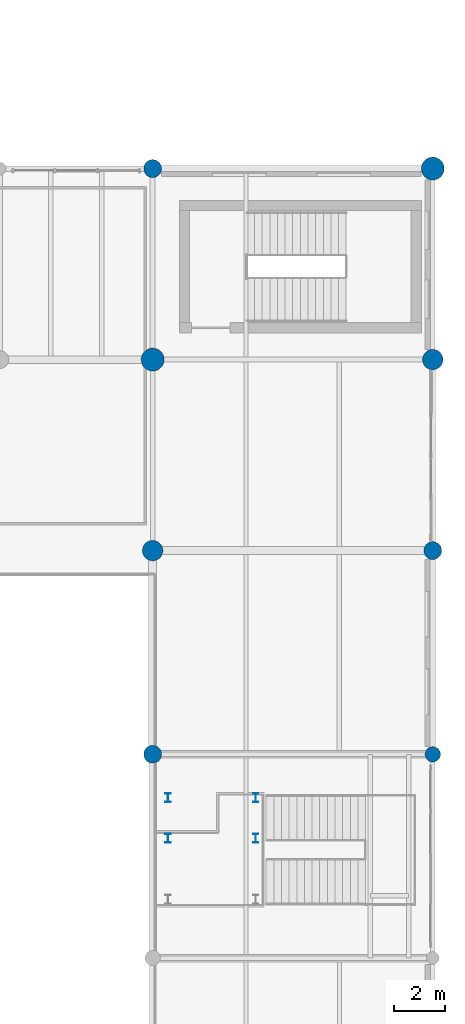
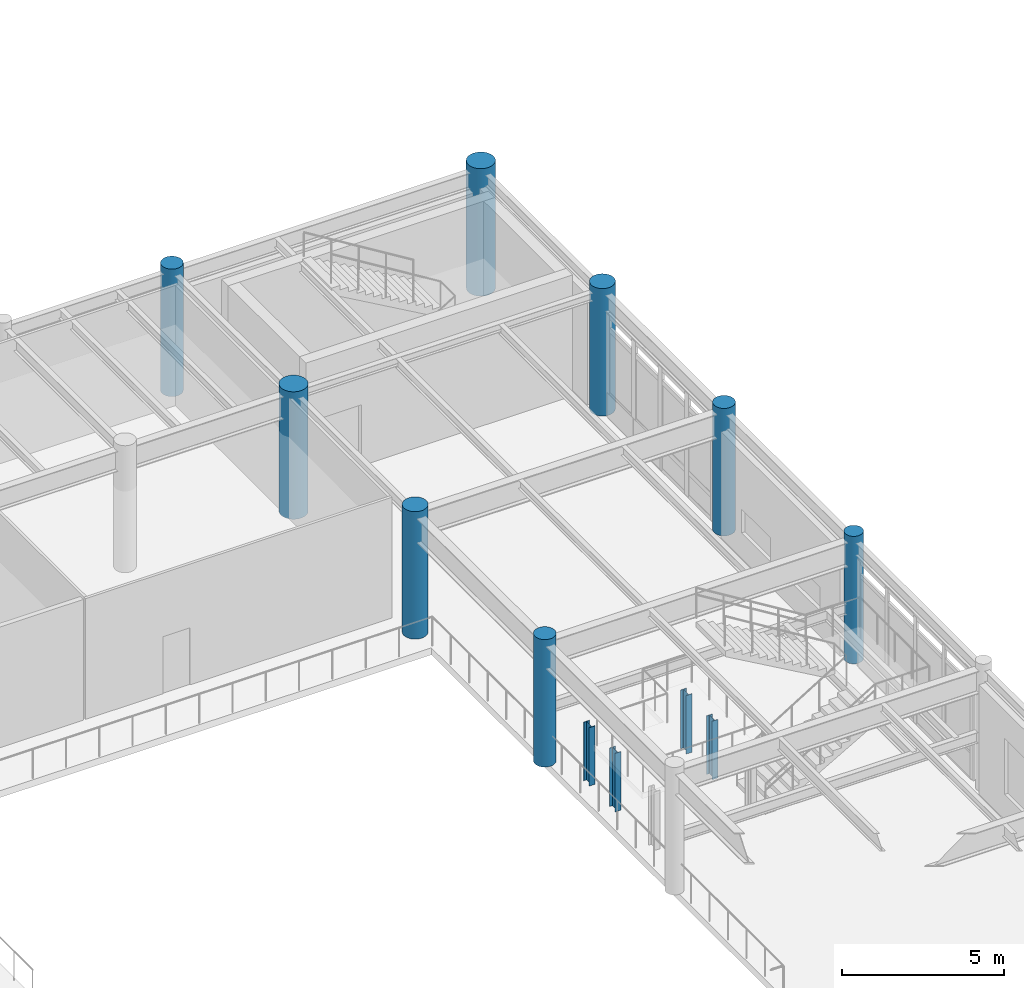
# One storey, part 15 of 200: 12 columns.
"""IFC4 building model written with IfcOpenShell, lengths in metres."""

from ifc_helpers import new_model, si_unit, direction, frame, origin, origin_2d, place, context, subcontext, project, spatial, circle, i_section, extrude, material, material_profile, profile_set, type_object, element, save


model = new_model("IFC4")

# Units and contexts
model_context = context("Model", 3, precision=1e-05, world=origin(), true_north=direction((0.0, 1.0)))
body_context = subcontext(model_context, "Body", "Model", "MODEL_VIEW")
ifc_project = project(units=[si_unit("LENGTHUNIT", "METRE"), si_unit("AREAUNIT", "SQUARE_METRE"), si_unit("VOLUMEUNIT", "CUBIC_METRE"), si_unit("PLANEANGLEUNIT", "RADIAN"), si_unit("MASSUNIT", "GRAM", prefix="KILO"), si_unit("THERMODYNAMICTEMPERATUREUNIT", "KELVIN"), si_unit("POWERUNIT", "WATT")], contexts=[model_context])

# Site, building, storey
site_placement = place(None, origin())
site = spatial("IfcSite", under=ifc_project, at=site_placement, CompositionType="ELEMENT")
building_placement = place(site_placement, origin())
building = spatial("IfcBuilding", under=site, at=building_placement, Name="Tepalcoro Natatorium and Aquatics Centre", CompositionType="ELEMENT")
storey_placement = place(building_placement, frame((0.0, 0.0, 5.39990234375)))
storey = spatial("IfcBuildingStorey", under=building, at=storey_placement, Name="L01", CompositionType="ELEMENT", Elevation=5.39990234375)

# Columns
ifc_material_1 = material(Name="Steel ASTM A992 Grade 50 (Fy 345 MPa)", Category="steel")
ifc_material_profile_1 = material_profile(ifc_material_1, i_section(OverallWidth=0.205078125, OverallDepth=0.35302734375, WebThickness=0.009033203125, FlangeThickness=0.01708984375, FilletRadius=0.013916015625, at=origin_2d()), Name="W14X53")
ifc_profile_set_1 = profile_set([ifc_material_profile_1], Name="Steel ASTM A992 Grade 50 (Fy 345 MPa)")
column_type_1 = type_object("IfcColumnType", Name="COL_CHS324x16", PredefinedType="COLUMN", material=ifc_profile_set_1)
for number, where, z_axis, x_axis, name in (
    (1, (165.60009765625, 32.699951171875, 0.0), (0.0, 0.0, 1.0), (1.0, 0.0, 0.0), "Diving Tower 7.5m Platform Column"),
    (2, (165.60009765625, 34.300048828125, 0.0), (0.0, 0.0, 1.0), (1.0, 0.0, 0.0), "Diving Tower 7.5m Platform Column"),
    (3, (169.050048828125, 32.699951171875, 0.0), (0.0, 0.0, 1.0), (1.0, 0.0, 0.0), "Diving Tower 7.5m Platform Column"),
    (4, (169.050048828125, 34.300048828125, 0.0), (0.0, 0.0, 1.0), (1.0, 0.0, 0.0), "Diving Tower 7.5m Platform Column"),
):
    element("IfcColumn", number, at=place(storey_placement, frame(where, z_axis=z_axis, x_axis=x_axis)), inside=storey, type_object=column_type_1, Name=name, PredefinedType="COLUMN", context=body_context, shape_type="SweptSolid", body=[
        extrude(i_section(OverallWidth=0.205078125, OverallDepth=0.35302734375, WebThickness=0.009033203125, FlangeThickness=0.01708984375, FilletRadius=0.013916015625, at=origin_2d()), origin(), (0.0, 0.0, 1.0), 2.2001953125),
    ])
ifc_material_2 = material(Name="Concrete C40/50 (fc 40 MPa)", Category="concrete")
ifc_material_profile_2 = material_profile(ifc_material_2, circle(Radius=0.300048828125, at=origin_2d()), Name="RCD600")
ifc_profile_set_2 = profile_set([ifc_material_profile_2], Name="Concrete C40/50 (fc 40 MPa)")
column_type_2 = type_object("IfcColumnType", Name="COL_RC_D600", PredefinedType="COLUMN", material=ifc_profile_set_2)
column_placement = place(storey_placement, frame((176.0, 36.0, 0.0), z_axis=(0.0, 0.0, 1.0), x_axis=(1.0, 0.0, 0.0)))
element("IfcColumn", 5, at=column_placement, inside=storey, type_object=column_type_2, Name="V2 L01 Grid Column (176.0, 36.0)", PredefinedType="COLUMN", context=body_context, shape_type="SweptSolid", body=[
    extrude(circle(Radius=0.300048828125, at=origin_2d()), origin(), (0.0, 0.0, 1.0), 4.800048828125),
])
ifc_material_profile_3 = material_profile(ifc_material_2, circle(Radius=0.35009765625, at=origin_2d()), Name="RCD700")
ifc_profile_set_3 = profile_set([ifc_material_profile_3], Name="Concrete C40/50 (fc 40 MPa)")
column_type_3 = type_object("IfcColumnType", Name="COL_RC_D700", PredefinedType="COLUMN", material=ifc_profile_set_3)
for number, where, z_axis, x_axis, name in (
    (6, (165.0, 36.0, 0.0), (0.0, 0.0, 1.0), (1.0, 0.0, 0.0), "V2 L01 Grid Column (165.0, 36.0)"),
    (7, (165.0, 59.0, 0.0), (0.0, 0.0, 1.0), (1.0, 0.0, 0.0), "V2 L01 Grid Column (165.0, 59.0)"),
    (8, (176.0, 44.0, 0.0), (0.0, 0.0, 1.0), (1.0, 0.0, 0.0), "V2 L01 Grid Column (176.0, 44.0)"),
):
    element("IfcColumn", number, at=place(storey_placement, frame(where, z_axis=z_axis, x_axis=x_axis)), inside=storey, type_object=column_type_3, Name=name, PredefinedType="COLUMN", context=body_context, shape_type="SweptSolid", body=[
        extrude(circle(Radius=0.35009765625, at=origin_2d()), origin(), (0.0, 0.0, 1.0), 4.800048828125),
    ])
ifc_material_profile_4 = material_profile(ifc_material_2, circle(Radius=0.39990234375, at=origin_2d()), Name="RCD800")
ifc_profile_set_4 = profile_set([ifc_material_profile_4], Name="Concrete C40/50 (fc 40 MPa)")
column_type_4 = type_object("IfcColumnType", Name="COL_RC_D800", PredefinedType="COLUMN", material=ifc_profile_set_4)
for number, where, z_axis, x_axis, name in (
    (9, (165.0, 44.0, 0.0), (0.0, 0.0, 1.0), (1.0, 0.0, 0.0), "V2 L01 Grid Column (165.0, 44.0)"),
    (10, (176.0, 51.5, 0.0), (0.0, 0.0, 1.0), (1.0, 0.0, 0.0), "V2 L01 Grid Column (176.0, 51.5)"),
):
    element("IfcColumn", number, at=place(storey_placement, frame(where, z_axis=z_axis, x_axis=x_axis)), inside=storey, type_object=column_type_4, Name=name, PredefinedType="COLUMN", context=body_context, shape_type="SweptSolid", body=[
        extrude(circle(Radius=0.39990234375, at=origin_2d()), origin(), (0.0, 0.0, 1.0), 4.800048828125),
    ])
ifc_material_profile_5 = material_profile(ifc_material_2, circle(Radius=0.449951171875, at=origin_2d()), Name="RCD900")
ifc_profile_set_5 = profile_set([ifc_material_profile_5], Name="Concrete C40/50 (fc 40 MPa)")
column_type_5 = type_object("IfcColumnType", Name="COL_RC_D900", PredefinedType="COLUMN", material=ifc_profile_set_5)
for number, where, z_axis, x_axis, name in (
    (11, (165.0, 51.5, 0.0), (0.0, 0.0, 1.0), (1.0, 0.0, 0.0), "V2 L01 Grid Column (165.0, 51.5)"),
    (12, (176.0, 59.0, 0.0), (0.0, 0.0, 1.0), (1.0, 0.0, 0.0), "V2 L01 Grid Column (176.0, 59.0)"),
):
    element("IfcColumn", number, at=place(storey_placement, frame(where, z_axis=z_axis, x_axis=x_axis)), inside=storey, type_object=column_type_5, Name=name, PredefinedType="COLUMN", context=body_context, shape_type="SweptSolid", body=[
        extrude(circle(Radius=0.449951171875, at=origin_2d()), origin(), (0.0, 0.0, 1.0), 4.800048828125),
    ])

save(model, "model.ifc")
